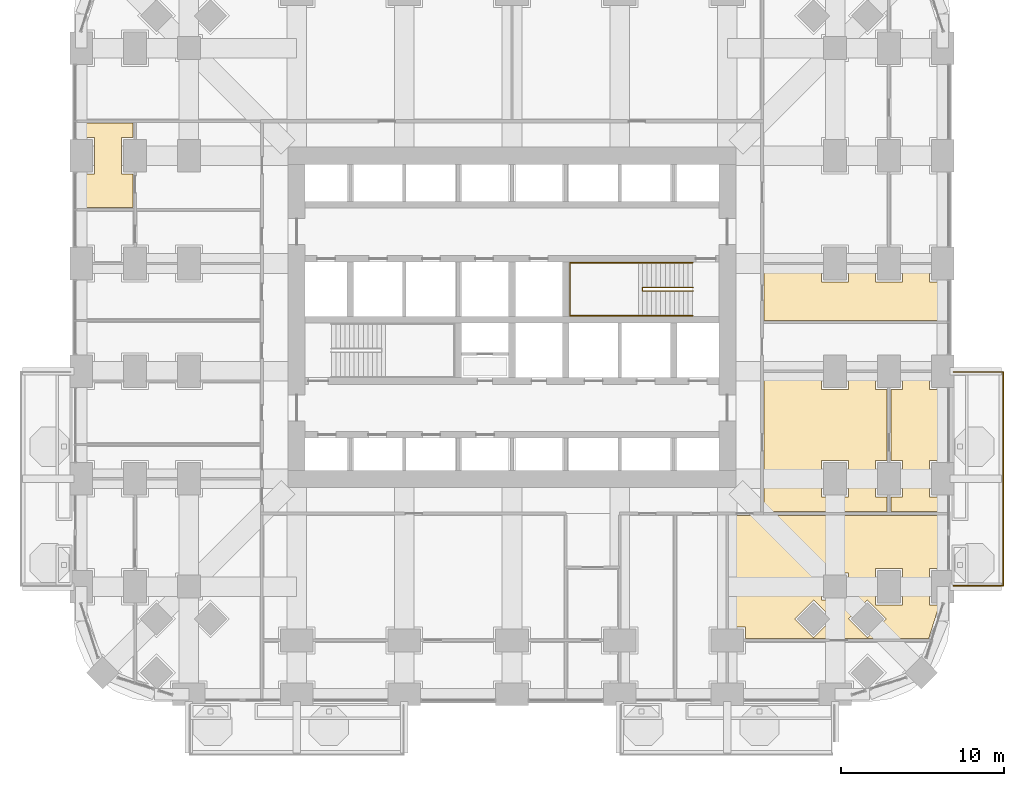
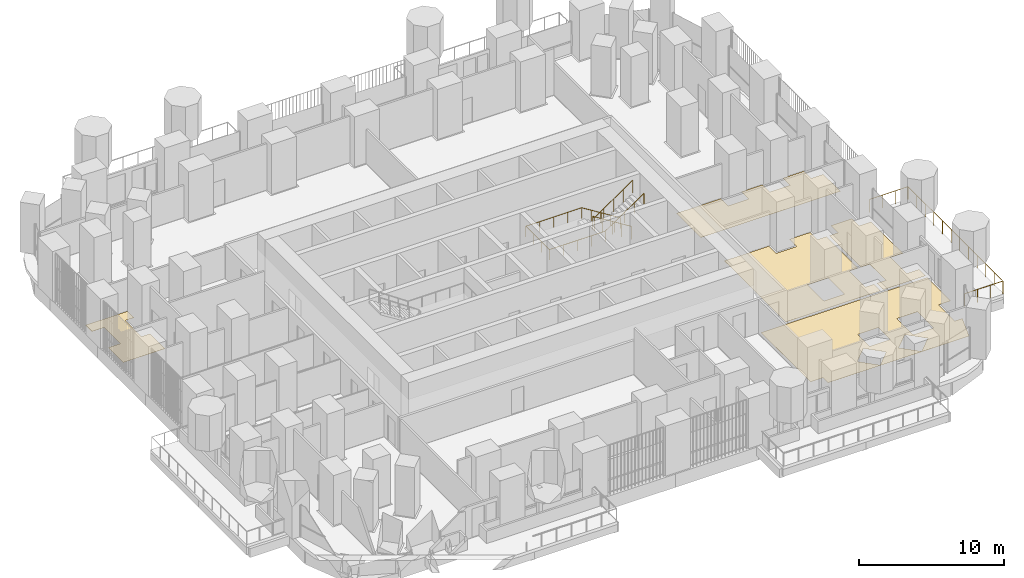
# One storey, part 23 of 25: 5 coverings, 3 railings.
"""IFC4 building model written with IfcOpenShell, lengths in metres."""

from ifc_helpers import new_model, si_unit, direction, frame, origin, place, context, subcontext, project, spatial, polyline, outline, extrude, material, layer, layer_set, type_object, element, save


model = new_model("IFC4")

# Units and contexts
model_context = context("Model", 3, precision=1e-05, world=origin(), true_north=direction((0.0, 1.0)))
body_context = subcontext(model_context, "Body", "Model", "MODEL_VIEW")
ifc_project = project(units=[si_unit("LENGTHUNIT", "METRE"), si_unit("AREAUNIT", "SQUARE_METRE"), si_unit("VOLUMEUNIT", "CUBIC_METRE"), si_unit("PLANEANGLEUNIT", "RADIAN"), si_unit("MASSUNIT", "GRAM", prefix="KILO")], contexts=[model_context])

# Site, building, storey
site_placement = place(None, origin())
site = spatial("IfcSite", under=ifc_project, at=site_placement, CompositionType="ELEMENT")
building_placement = place(site_placement, origin())
building = spatial("IfcBuilding", under=site, at=building_placement, Name="Cobogo Forest Laboratory Tower", CompositionType="ELEMENT")
storey_placement = place(building_placement, frame((0.0, 0.0, 21.300048828125)))
storey = spatial("IfcBuildingStorey", under=building, at=storey_placement, Name="L04", CompositionType="ELEMENT", Elevation=21.300048828125)

# Railing
ifc_material_1 = material(Name="Laminated glass balustrade", Category="glass")
railing_type_1 = type_object("IfcRailingType", Name="BG1 glass balustrade 1100", PredefinedType="GUARDRAIL", material=ifc_material_1)
railing_1_placement = place(storey_placement, frame((53.449951171875, 6.64990234375, 0.0)))
element("IfcRailing", 1, at=railing_1_placement, inside=storey, type_object=railing_type_1, Name="Balcony balustrade BAL-E1 L04", PredefinedType="GUARDRAIL", context=body_context, shape_type="SweptSolid", body=[
    extrude(outline(polyline([(0.022216796875, 0.00927734375), (0.00927734375, 0.022216796875), (-0.00927734375, 0.022216796875), (-0.022216796875, 0.00927734375), (-0.022216796875, -0.00927734375), (-0.00927734375, -0.022216796875), (0.00927734375, -0.022216796875), (0.022216796875, -0.00927734375), (0.022216796875, 0.00927734375)])), frame((0.0, 0.0, 1.077880859375), z_axis=(1.0, 0.0, 0.0), x_axis=(0.0, 1.0, 0.0)), (0.0, 0.0, 1.0), 3.050048828125),
    extrude(outline(polyline([(0.022216796875, 0.00927734375), (0.00927734375, 0.022216796875), (-0.00927734375, 0.022216796875), (-0.022216796875, 0.00927734375), (-0.022216796875, -0.00927734375), (-0.00927734375, -0.022216796875), (0.00927734375, -0.022216796875), (0.022216796875, -0.00927734375), (0.022216796875, 0.00927734375)])), frame((3.050048828125, 0.0, 1.077880859375), z_axis=(0.0, 1.0, 0.0), x_axis=(-1.0, 0.0, 0.0)), (0.0, 0.0, 1.0), 13.10009765625),
    extrude(outline(polyline([(0.022216796875, 0.00927734375), (0.00927734375, 0.022216796875), (-0.00927734375, 0.022216796875), (-0.022216796875, 0.00927734375), (-0.022216796875, -0.00927734375), (-0.00927734375, -0.022216796875), (0.00927734375, -0.022216796875), (0.022216796875, -0.00927734375), (0.022216796875, 0.00927734375)])), frame((3.050048828125, 13.10009765625, 1.077880859375), z_axis=(-1.0, 0.0, 0.0), x_axis=(0.0, -1.0, 0.0)), (0.0, 0.0, 1.0), 3.050048828125),
    extrude(outline(polyline([(0.019287109375, 0.008056640625), (0.008056640625, 0.019287109375), (-0.008056640625, 0.019287109375), (-0.019287109375, 0.008056640625), (-0.019287109375, -0.008056640625), (-0.008056640625, -0.019287109375), (0.008056640625, -0.019287109375), (0.019287109375, -0.008056640625), (0.019287109375, 0.008056640625)])), origin(), (0.0, 0.0, 1.0), 1.077880859375),
    extrude(outline(polyline([(0.019287109375, 0.008056640625), (0.008056640625, 0.019287109375), (-0.008056640625, 0.019287109375), (-0.019287109375, 0.008056640625), (-0.019287109375, -0.008056640625), (-0.008056640625, -0.019287109375), (0.008056640625, -0.019287109375), (0.019287109375, -0.008056640625), (0.019287109375, 0.008056640625)])), frame((1.0166015625, 0.0, 0.0)), (0.0, 0.0, 1.0), 1.077880859375),
    extrude(outline(polyline([(0.019287109375, 0.008056640625), (0.008056640625, 0.019287109375), (-0.008056640625, 0.019287109375), (-0.019287109375, 0.008056640625), (-0.019287109375, -0.008056640625), (-0.008056640625, -0.019287109375), (0.008056640625, -0.019287109375), (0.019287109375, -0.008056640625), (0.019287109375, 0.008056640625)])), frame((2.033447265625, 0.0, 0.0)), (0.0, 0.0, 1.0), 1.077880859375),
    extrude(outline(polyline([(0.019287109375, 0.008056640625), (0.008056640625, 0.019287109375), (-0.008056640625, 0.019287109375), (-0.019287109375, 0.008056640625), (-0.019287109375, -0.008056640625), (-0.008056640625, -0.019287109375), (0.008056640625, -0.019287109375), (0.019287109375, -0.008056640625), (0.019287109375, 0.008056640625)])), frame((3.050048828125, 0.0, 0.0)), (0.0, 0.0, 1.0), 1.077880859375),
    extrude(outline(polyline([(0.019287109375, 0.008056640625), (0.008056640625, 0.019287109375), (-0.008056640625, 0.019287109375), (-0.019287109375, 0.008056640625), (-0.019287109375, -0.008056640625), (-0.008056640625, -0.019287109375), (0.008056640625, -0.019287109375), (0.019287109375, -0.008056640625), (0.019287109375, 0.008056640625)])), frame((3.050048828125, 1.19091796875, 0.0)), (0.0, 0.0, 1.0), 1.077880859375),
    extrude(outline(polyline([(0.019287109375, 0.008056640625), (0.008056640625, 0.019287109375), (-0.008056640625, 0.019287109375), (-0.019287109375, 0.008056640625), (-0.019287109375, -0.008056640625), (-0.008056640625, -0.019287109375), (0.008056640625, -0.019287109375), (0.019287109375, -0.008056640625), (0.019287109375, 0.008056640625)])), frame((3.050048828125, 2.3818359375, 0.0)), (0.0, 0.0, 1.0), 1.077880859375),
    extrude(outline(polyline([(0.019287109375, 0.008056640625), (0.008056640625, 0.019287109375), (-0.008056640625, 0.019287109375), (-0.019287109375, 0.008056640625), (-0.019287109375, -0.008056640625), (-0.008056640625, -0.019287109375), (0.008056640625, -0.019287109375), (0.019287109375, -0.008056640625), (0.019287109375, 0.008056640625)])), frame((3.050048828125, 3.57275390625, 0.0)), (0.0, 0.0, 1.0), 1.077880859375),
    extrude(outline(polyline([(0.019287109375, 0.008056640625), (0.008056640625, 0.019287109375), (-0.008056640625, 0.019287109375), (-0.019287109375, 0.008056640625), (-0.019287109375, -0.008056640625), (-0.008056640625, -0.019287109375), (0.008056640625, -0.019287109375), (0.019287109375, -0.008056640625), (0.019287109375, 0.008056640625)])), frame((3.050048828125, 4.763671875, 0.0)), (0.0, 0.0, 1.0), 1.077880859375),
    extrude(outline(polyline([(0.019287109375, 0.008056640625), (0.008056640625, 0.019287109375), (-0.008056640625, 0.019287109375), (-0.019287109375, 0.008056640625), (-0.019287109375, -0.008056640625), (-0.008056640625, -0.019287109375), (0.008056640625, -0.019287109375), (0.019287109375, -0.008056640625), (0.019287109375, 0.008056640625)])), frame((3.050048828125, 5.95458984375, 0.0)), (0.0, 0.0, 1.0), 1.077880859375),
    extrude(outline(polyline([(0.019287109375, 0.008056640625), (0.008056640625, 0.019287109375), (-0.008056640625, 0.019287109375), (-0.019287109375, 0.008056640625), (-0.019287109375, -0.008056640625), (-0.008056640625, -0.019287109375), (0.008056640625, -0.019287109375), (0.019287109375, -0.008056640625), (0.019287109375, 0.008056640625)])), frame((3.050048828125, 7.1455078125, 0.0)), (0.0, 0.0, 1.0), 1.077880859375),
    extrude(outline(polyline([(0.019287109375, 0.008056640625), (0.008056640625, 0.019287109375), (-0.008056640625, 0.019287109375), (-0.019287109375, 0.008056640625), (-0.019287109375, -0.008056640625), (-0.008056640625, -0.019287109375), (0.008056640625, -0.019287109375), (0.019287109375, -0.008056640625), (0.019287109375, 0.008056640625)])), frame((3.050048828125, 8.33642578125, 0.0)), (0.0, 0.0, 1.0), 1.077880859375),
    extrude(outline(polyline([(0.019287109375, 0.008056640625), (0.008056640625, 0.019287109375), (-0.008056640625, 0.019287109375), (-0.019287109375, 0.008056640625), (-0.019287109375, -0.008056640625), (-0.008056640625, -0.019287109375), (0.008056640625, -0.019287109375), (0.019287109375, -0.008056640625), (0.019287109375, 0.008056640625)])), frame((3.050048828125, 9.52734375, 0.0)), (0.0, 0.0, 1.0), 1.077880859375),
    extrude(outline(polyline([(0.019287109375, 0.008056640625), (0.008056640625, 0.019287109375), (-0.008056640625, 0.019287109375), (-0.019287109375, 0.008056640625), (-0.019287109375, -0.008056640625), (-0.008056640625, -0.019287109375), (0.008056640625, -0.019287109375), (0.019287109375, -0.008056640625), (0.019287109375, 0.008056640625)])), frame((3.050048828125, 10.71826171875, 0.0)), (0.0, 0.0, 1.0), 1.077880859375),
    extrude(outline(polyline([(0.019287109375, 0.008056640625), (0.008056640625, 0.019287109375), (-0.008056640625, 0.019287109375), (-0.019287109375, 0.008056640625), (-0.019287109375, -0.008056640625), (-0.008056640625, -0.019287109375), (0.008056640625, -0.019287109375), (0.019287109375, -0.008056640625), (0.019287109375, 0.008056640625)])), frame((3.050048828125, 11.9091796875, 0.0)), (0.0, 0.0, 1.0), 1.077880859375),
    extrude(outline(polyline([(0.019287109375, 0.008056640625), (0.008056640625, 0.019287109375), (-0.008056640625, 0.019287109375), (-0.019287109375, 0.008056640625), (-0.019287109375, -0.008056640625), (-0.008056640625, -0.019287109375), (0.008056640625, -0.019287109375), (0.019287109375, -0.008056640625), (0.019287109375, 0.008056640625)])), frame((3.050048828125, 13.10009765625, 0.0)), (0.0, 0.0, 1.0), 1.077880859375),
    extrude(outline(polyline([(0.019287109375, 0.008056640625), (0.008056640625, 0.019287109375), (-0.008056640625, 0.019287109375), (-0.019287109375, 0.008056640625), (-0.019287109375, -0.008056640625), (-0.008056640625, -0.019287109375), (0.008056640625, -0.019287109375), (0.019287109375, -0.008056640625), (0.019287109375, 0.008056640625)])), frame((2.033447265625, 13.10009765625, 0.0)), (0.0, 0.0, 1.0), 1.077880859375),
    extrude(outline(polyline([(0.019287109375, 0.008056640625), (0.008056640625, 0.019287109375), (-0.008056640625, 0.019287109375), (-0.019287109375, 0.008056640625), (-0.019287109375, -0.008056640625), (-0.008056640625, -0.019287109375), (0.008056640625, -0.019287109375), (0.019287109375, -0.008056640625), (0.019287109375, 0.008056640625)])), frame((1.0166015625, 13.10009765625, 0.0)), (0.0, 0.0, 1.0), 1.077880859375),
    extrude(outline(polyline([(0.019287109375, 0.008056640625), (0.008056640625, 0.019287109375), (-0.008056640625, 0.019287109375), (-0.019287109375, 0.008056640625), (-0.019287109375, -0.008056640625), (-0.008056640625, -0.019287109375), (0.008056640625, -0.019287109375), (0.019287109375, -0.008056640625), (0.019287109375, 0.008056640625)])), frame((0.0, 13.10009765625, 0.0)), (0.0, 0.0, 1.0), 1.077880859375),
])

# Coverings
ifc_material_2 = material(Name="Carpet tile on raised access floor", Category="flooring")
ifc_layer_1 = layer(ifc_material_2, 0.008056640625)
ifc_layer_set_1 = layer_set([ifc_layer_1], Name="CT1 carpet tile floor 8")
covering_type_1 = type_object("IfcCoveringType", Name="CT1 carpet tile floor 8", PredefinedType="FLOORING", material=ifc_layer_set_1)
covering_1_placement = place(storey_placement, origin())
element("IfcCovering", 2, at=covering_1_placement, inside=storey, type_object=covering_type_1, Name="Carpet floor L04-10", PredefinedType="FLOORING", context=body_context, shape_type="SweptSolid", body=[
    extrude(outline(polyline([(49.6201171875, 12.080078125), (50.320068359375, 12.080078125), (50.320068359375, 14.320068359375), (49.6201171875, 14.320068359375), (49.6201171875, 18.679931640625), (50.320068359375, 18.679931640625), (50.320068359375, 19.679931640625), (51.97998046875, 19.679931640625), (51.97998046875, 18.679931640625), (52.949951171875, 18.679931640625), (52.949951171875, 14.320068359375), (51.97998046875, 14.320068359375), (51.97998046875, 12.080078125), (52.949951171875, 12.080078125), (52.949951171875, 11.195068359375), (49.6201171875, 11.195068359375), (49.6201171875, 12.080078125)])), origin(), (0.0, 0.0, 1.0), 0.008056640625),
])
covering_2_placement = place(storey_placement, origin())
element("IfcCovering", 3, at=covering_2_placement, inside=storey, type_object=covering_type_1, Name="Carpet floor L04-28", PredefinedType="FLOORING", context=body_context, shape_type="SweptSolid", body=[
    extrude(outline(polyline([(3.179931640625, 34.1201171875), (2.47998046875, 34.1201171875), (2.47998046875, 31.8798828125), (3.179931640625, 31.8798828125), (3.179931640625, 29.820068359375), (-0.14990234375, 29.820068359375), (-0.14990234375, 31.8798828125), (0.820068359375, 31.8798828125), (0.820068359375, 34.1201171875), (-0.14990234375, 34.1201171875), (-0.14990234375, 35.0048828125), (3.179931640625, 35.0048828125), (3.179931640625, 34.1201171875)])), origin(), (0.0, 0.0, 1.0), 0.008056640625),
])

# Railings
ifc_material_3 = material(Name="Steel balustrade", Category="steel")
railing_type_2 = type_object("IfcRailingType", Name="GR stair guard 1100", PredefinedType="GUARDRAIL", material=ifc_material_3)
railing_2_placement = place(storey_placement, frame((37.47509765625, 24.929931640625, 0.175048828125)))
element("IfcRailing", 4, at=railing_2_placement, inside=storey, type_object=railing_type_2, Name="Stair guard ST2 L04", PredefinedType="GUARDRAIL", context=body_context, shape_type="SweptSolid", body=[
    extrude(outline(polyline([(0.022216796875, 0.00927734375), (0.00927734375, 0.022216796875), (-0.00927734375, 0.022216796875), (-0.022216796875, 0.00927734375), (-0.022216796875, -0.00927734375), (-0.00927734375, -0.022216796875), (0.00927734375, -0.022216796875), (0.022216796875, -0.00927734375), (0.022216796875, 0.00927734375)])), frame((0.0, 0.0, 1.077880859375), z_axis=(-0.848028513186, 0.0, 0.529950602248), x_axis=(0.0, -1.0, 0.0)), (0.0, 0.0, 1.0), 3.632080078125),
    extrude(outline(polyline([(0.022216796875, 0.00927734375), (0.00927734375, 0.022216796875), (-0.00927734375, 0.022216796875), (-0.022216796875, 0.00927734375), (-0.022216796875, -0.00927734375), (-0.00927734375, -0.022216796875), (0.00927734375, -0.022216796875), (0.022216796875, -0.00927734375), (0.022216796875, 0.00927734375)])), frame((-3.080078125, 0.0, 3.002685546875), z_axis=(0.0, -1.0, 0.0), x_axis=(1.0, 0.0, 0.0)), (0.0, 0.0, 1.0), 0.2099609375),
    extrude(outline(polyline([(0.022216796875, 0.00927734375), (0.00927734375, 0.022216796875), (-0.00927734375, 0.022216796875), (-0.022216796875, 0.00927734375), (-0.022216796875, -0.00927734375), (-0.00927734375, -0.022216796875), (0.00927734375, -0.022216796875), (0.022216796875, -0.00927734375), (0.022216796875, 0.00927734375)])), frame((-3.080078125, -0.2099609375, 3.002685546875), z_axis=(0.826221800596, 0.0, 0.563344953133), x_axis=(0.0, 1.0, 0.0)), (0.0, 0.0, 1.0), 3.72802734375),
    extrude(outline(polyline([(0.019287109375, 0.008056640625), (0.008056640625, 0.019287109375), (-0.008056640625, 0.019287109375), (-0.019287109375, 0.008056640625), (-0.019287109375, -0.008056640625), (-0.008056640625, -0.019287109375), (0.008056640625, -0.019287109375), (0.019287109375, -0.008056640625), (0.019287109375, 0.008056640625)])), origin(), (0.0, 0.0, 1.0), 1.077880859375),
    extrude(outline(polyline([(0.019287109375, 0.008056640625), (0.008056640625, 0.019287109375), (-0.008056640625, 0.019287109375), (-0.019287109375, 0.008056640625), (-0.019287109375, -0.008056640625), (-0.008056640625, -0.019287109375), (0.008056640625, -0.019287109375), (0.019287109375, -0.008056640625), (0.019287109375, 0.008056640625)])), frame((-0.77001953125, 0.0, 0.481201171875)), (0.0, 0.0, 1.0), 1.077880859375),
    extrude(outline(polyline([(0.019287109375, 0.008056640625), (0.008056640625, 0.019287109375), (-0.008056640625, 0.019287109375), (-0.019287109375, 0.008056640625), (-0.019287109375, -0.008056640625), (-0.008056640625, -0.019287109375), (0.008056640625, -0.019287109375), (0.019287109375, -0.008056640625), (0.019287109375, 0.008056640625)])), frame((-1.5400390625, 0.0, 0.96240234375)), (0.0, 0.0, 1.0), 1.077880859375),
    extrude(outline(polyline([(0.019287109375, 0.008056640625), (0.008056640625, 0.019287109375), (-0.008056640625, 0.019287109375), (-0.019287109375, 0.008056640625), (-0.019287109375, -0.008056640625), (-0.008056640625, -0.019287109375), (0.008056640625, -0.019287109375), (0.019287109375, -0.008056640625), (0.019287109375, 0.008056640625)])), frame((-2.31005859375, 0.0, 1.443603515625)), (0.0, 0.0, 1.0), 1.077880859375),
    extrude(outline(polyline([(0.019287109375, 0.008056640625), (0.008056640625, 0.019287109375), (-0.008056640625, 0.019287109375), (-0.019287109375, 0.008056640625), (-0.019287109375, -0.008056640625), (-0.008056640625, -0.019287109375), (0.008056640625, -0.019287109375), (0.019287109375, -0.008056640625), (0.019287109375, 0.008056640625)])), frame((-3.080078125, 0.0, 1.9248046875)), (0.0, 0.0, 1.0), 1.077880859375),
    extrude(outline(polyline([(0.019287109375, 0.008056640625), (0.008056640625, 0.019287109375), (-0.008056640625, 0.019287109375), (-0.019287109375, 0.008056640625), (-0.019287109375, -0.008056640625), (-0.008056640625, -0.019287109375), (0.008056640625, -0.019287109375), (0.019287109375, -0.008056640625), (0.019287109375, 0.008056640625)])), frame((-3.080078125, -0.2099609375, 1.9248046875)), (0.0, 0.0, 1.0), 1.077880859375),
    extrude(outline(polyline([(0.019287109375, 0.008056640625), (0.008056640625, 0.019287109375), (-0.008056640625, 0.019287109375), (-0.019287109375, 0.008056640625), (-0.019287109375, -0.008056640625), (-0.008056640625, -0.019287109375), (0.008056640625, -0.019287109375), (0.019287109375, -0.008056640625), (0.019287109375, 0.008056640625)])), frame((-2.31005859375, -0.2099609375, 2.44970703125)), (0.0, 0.0, 1.0), 1.077880859375),
    extrude(outline(polyline([(0.019287109375, 0.008056640625), (0.008056640625, 0.019287109375), (-0.008056640625, 0.019287109375), (-0.019287109375, 0.008056640625), (-0.019287109375, -0.008056640625), (-0.008056640625, -0.019287109375), (0.008056640625, -0.019287109375), (0.019287109375, -0.008056640625), (0.019287109375, 0.008056640625)])), frame((-1.5400390625, -0.2099609375, 2.974853515625)), (0.0, 0.0, 1.0), 1.077880859375),
    extrude(outline(polyline([(0.019287109375, 0.008056640625), (0.008056640625, 0.019287109375), (-0.008056640625, 0.019287109375), (-0.019287109375, 0.008056640625), (-0.019287109375, -0.008056640625), (-0.008056640625, -0.019287109375), (0.008056640625, -0.019287109375), (0.019287109375, -0.008056640625), (0.019287109375, 0.008056640625)])), frame((-0.77001953125, -0.2099609375, 3.5)), (0.0, 0.0, 1.0), 1.077880859375),
    extrude(outline(polyline([(0.019287109375, 0.008056640625), (0.008056640625, 0.019287109375), (-0.008056640625, 0.019287109375), (-0.019287109375, 0.008056640625), (-0.019287109375, -0.008056640625), (-0.008056640625, -0.019287109375), (0.008056640625, -0.019287109375), (0.019287109375, -0.008056640625), (0.019287109375, 0.008056640625)])), frame((0.0, -0.2099609375, 4.02490234375)), (0.0, 0.0, 1.0), 1.077880859375),
])
ifc_material_4 = material(Name="Stainless steel handrail", Category="steel")
railing_type_3 = type_object("IfcRailingType", Name="HR handrail 900", PredefinedType="HANDRAIL", material=ifc_material_4)
railing_3_placement = place(storey_placement, frame((37.47509765625, 26.449951171875, 0.175048828125)))
element("IfcRailing", 5, at=railing_3_placement, inside=storey, type_object=railing_type_3, Name="Stair handrail ST2 L04", PredefinedType="HANDRAIL", context=body_context, shape_type="SweptSolid", body=[
    extrude(outline(polyline([(0.022216796875, 0.00927734375), (0.00927734375, 0.022216796875), (-0.00927734375, 0.022216796875), (-0.022216796875, 0.00927734375), (-0.022216796875, -0.00927734375), (-0.00927734375, -0.022216796875), (0.00927734375, -0.022216796875), (0.022216796875, -0.00927734375), (0.022216796875, 0.00927734375)])), frame((0.0, 0.0, 0.877685546875), z_axis=(-0.848028513186, 0.0, 0.529950602248), x_axis=(0.0, -1.0, 0.0)), (0.0, 0.0, 1.0), 3.632080078125),
    extrude(outline(polyline([(0.022216796875, 0.00927734375), (0.00927734375, 0.022216796875), (-0.00927734375, 0.022216796875), (-0.022216796875, 0.00927734375), (-0.022216796875, -0.00927734375), (-0.00927734375, -0.022216796875), (0.00927734375, -0.022216796875), (0.022216796875, -0.00927734375), (0.022216796875, 0.00927734375)])), frame((-3.080078125, 0.0, 2.802490234375), z_axis=(-1.0, 0.0, 0.0), x_axis=(0.0, -1.0, 0.0)), (0.0, 0.0, 1.0), 4.445068359375),
    extrude(outline(polyline([(0.022216796875, 0.00927734375), (0.00927734375, 0.022216796875), (-0.00927734375, 0.022216796875), (-0.022216796875, 0.00927734375), (-0.022216796875, -0.00927734375), (-0.00927734375, -0.022216796875), (0.00927734375, -0.022216796875), (0.022216796875, -0.00927734375), (0.022216796875, 0.00927734375)])), frame((-7.525146484375, 0.0, 2.802490234375), z_axis=(0.0, -1.0, 0.0), x_axis=(1.0, 0.0, 0.0)), (0.0, 0.0, 1.0), 3.25),
    extrude(outline(polyline([(0.022216796875, 0.00927734375), (0.00927734375, 0.022216796875), (-0.00927734375, 0.022216796875), (-0.022216796875, 0.00927734375), (-0.022216796875, -0.00927734375), (-0.00927734375, -0.022216796875), (0.00927734375, -0.022216796875), (0.022216796875, -0.00927734375), (0.022216796875, 0.00927734375)])), frame((-7.525146484375, -3.25, 2.802490234375), z_axis=(1.0, 0.0, 0.0), x_axis=(0.0, 1.0, 0.0)), (0.0, 0.0, 1.0), 4.445068359375),
    extrude(outline(polyline([(0.022216796875, 0.00927734375), (0.00927734375, 0.022216796875), (-0.00927734375, 0.022216796875), (-0.022216796875, 0.00927734375), (-0.022216796875, -0.00927734375), (-0.00927734375, -0.022216796875), (0.00927734375, -0.022216796875), (0.022216796875, -0.00927734375), (0.022216796875, 0.00927734375)])), frame((-3.080078125, -3.25, 2.802490234375), z_axis=(0.826221800596, 0.0, 0.563344953133), x_axis=(0.0, 1.0, 0.0)), (0.0, 0.0, 1.0), 3.72802734375),
    extrude(outline(polyline([(0.019287109375, 0.008056640625), (0.008056640625, 0.019287109375), (-0.008056640625, 0.019287109375), (-0.019287109375, 0.008056640625), (-0.019287109375, -0.008056640625), (-0.008056640625, -0.019287109375), (0.008056640625, -0.019287109375), (0.019287109375, -0.008056640625), (0.019287109375, 0.008056640625)])), origin(), (0.0, 0.0, 1.0), 0.877685546875),
    extrude(outline(polyline([(0.019287109375, 0.008056640625), (0.008056640625, 0.019287109375), (-0.008056640625, 0.019287109375), (-0.019287109375, 0.008056640625), (-0.019287109375, -0.008056640625), (-0.008056640625, -0.019287109375), (0.008056640625, -0.019287109375), (0.019287109375, -0.008056640625), (0.019287109375, 0.008056640625)])), frame((-0.77001953125, 0.0, 0.481201171875)), (0.0, 0.0, 1.0), 0.877685546875),
    extrude(outline(polyline([(0.019287109375, 0.008056640625), (0.008056640625, 0.019287109375), (-0.008056640625, 0.019287109375), (-0.019287109375, 0.008056640625), (-0.019287109375, -0.008056640625), (-0.008056640625, -0.019287109375), (0.008056640625, -0.019287109375), (0.019287109375, -0.008056640625), (0.019287109375, 0.008056640625)])), frame((-1.5400390625, 0.0, 0.96240234375)), (0.0, 0.0, 1.0), 0.877685546875),
    extrude(outline(polyline([(0.019287109375, 0.008056640625), (0.008056640625, 0.019287109375), (-0.008056640625, 0.019287109375), (-0.019287109375, 0.008056640625), (-0.019287109375, -0.008056640625), (-0.008056640625, -0.019287109375), (0.008056640625, -0.019287109375), (0.019287109375, -0.008056640625), (0.019287109375, 0.008056640625)])), frame((-2.31005859375, 0.0, 1.443603515625)), (0.0, 0.0, 1.0), 0.877685546875),
    extrude(outline(polyline([(0.019287109375, 0.008056640625), (0.008056640625, 0.019287109375), (-0.008056640625, 0.019287109375), (-0.019287109375, 0.008056640625), (-0.019287109375, -0.008056640625), (-0.008056640625, -0.019287109375), (0.008056640625, -0.019287109375), (0.019287109375, -0.008056640625), (0.019287109375, 0.008056640625)])), frame((-3.080078125, 0.0, 1.9248046875)), (0.0, 0.0, 1.0), 0.877685546875),
    extrude(outline(polyline([(0.019287109375, 0.008056640625), (0.008056640625, 0.019287109375), (-0.008056640625, 0.019287109375), (-0.019287109375, 0.008056640625), (-0.019287109375, -0.008056640625), (-0.008056640625, -0.019287109375), (0.008056640625, -0.019287109375), (0.019287109375, -0.008056640625), (0.019287109375, 0.008056640625)])), frame((-4.19140625, 0.0, 1.9248046875)), (0.0, 0.0, 1.0), 0.877685546875),
    extrude(outline(polyline([(0.019287109375, 0.008056640625), (0.008056640625, 0.019287109375), (-0.008056640625, 0.019287109375), (-0.019287109375, 0.008056640625), (-0.019287109375, -0.008056640625), (-0.008056640625, -0.019287109375), (0.008056640625, -0.019287109375), (0.019287109375, -0.008056640625), (0.019287109375, 0.008056640625)])), frame((-5.302734375, 0.0, 1.9248046875)), (0.0, 0.0, 1.0), 0.877685546875),
    extrude(outline(polyline([(0.019287109375, 0.008056640625), (0.008056640625, 0.019287109375), (-0.008056640625, 0.019287109375), (-0.019287109375, 0.008056640625), (-0.019287109375, -0.008056640625), (-0.008056640625, -0.019287109375), (0.008056640625, -0.019287109375), (0.019287109375, -0.008056640625), (0.019287109375, 0.008056640625)])), frame((-6.413818359375, 0.0, 1.9248046875)), (0.0, 0.0, 1.0), 0.877685546875),
    extrude(outline(polyline([(0.019287109375, 0.008056640625), (0.008056640625, 0.019287109375), (-0.008056640625, 0.019287109375), (-0.019287109375, 0.008056640625), (-0.019287109375, -0.008056640625), (-0.008056640625, -0.019287109375), (0.008056640625, -0.019287109375), (0.019287109375, -0.008056640625), (0.019287109375, 0.008056640625)])), frame((-7.525146484375, 0.0, 1.9248046875)), (0.0, 0.0, 1.0), 0.877685546875),
    extrude(outline(polyline([(0.019287109375, 0.008056640625), (0.008056640625, 0.019287109375), (-0.008056640625, 0.019287109375), (-0.019287109375, 0.008056640625), (-0.019287109375, -0.008056640625), (-0.008056640625, -0.019287109375), (0.008056640625, -0.019287109375), (0.019287109375, -0.008056640625), (0.019287109375, 0.008056640625)])), frame((-7.525146484375, -1.083251953125, 1.9248046875)), (0.0, 0.0, 1.0), 0.877685546875),
    extrude(outline(polyline([(0.019287109375, 0.008056640625), (0.008056640625, 0.019287109375), (-0.008056640625, 0.019287109375), (-0.019287109375, 0.008056640625), (-0.019287109375, -0.008056640625), (-0.008056640625, -0.019287109375), (0.008056640625, -0.019287109375), (0.019287109375, -0.008056640625), (0.019287109375, 0.008056640625)])), frame((-7.525146484375, -2.166748046875, 1.9248046875)), (0.0, 0.0, 1.0), 0.877685546875),
    extrude(outline(polyline([(0.019287109375, 0.008056640625), (0.008056640625, 0.019287109375), (-0.008056640625, 0.019287109375), (-0.019287109375, 0.008056640625), (-0.019287109375, -0.008056640625), (-0.008056640625, -0.019287109375), (0.008056640625, -0.019287109375), (0.019287109375, -0.008056640625), (0.019287109375, 0.008056640625)])), frame((-7.525146484375, -3.25, 1.9248046875)), (0.0, 0.0, 1.0), 0.877685546875),
    extrude(outline(polyline([(0.019287109375, 0.008056640625), (0.008056640625, 0.019287109375), (-0.008056640625, 0.019287109375), (-0.019287109375, 0.008056640625), (-0.019287109375, -0.008056640625), (-0.008056640625, -0.019287109375), (0.008056640625, -0.019287109375), (0.019287109375, -0.008056640625), (0.019287109375, 0.008056640625)])), frame((-6.413818359375, -3.25, 1.9248046875)), (0.0, 0.0, 1.0), 0.877685546875),
    extrude(outline(polyline([(0.019287109375, 0.008056640625), (0.008056640625, 0.019287109375), (-0.008056640625, 0.019287109375), (-0.019287109375, 0.008056640625), (-0.019287109375, -0.008056640625), (-0.008056640625, -0.019287109375), (0.008056640625, -0.019287109375), (0.019287109375, -0.008056640625), (0.019287109375, 0.008056640625)])), frame((-5.302734375, -3.25, 1.9248046875)), (0.0, 0.0, 1.0), 0.877685546875),
    extrude(outline(polyline([(0.019287109375, 0.008056640625), (0.008056640625, 0.019287109375), (-0.008056640625, 0.019287109375), (-0.019287109375, 0.008056640625), (-0.019287109375, -0.008056640625), (-0.008056640625, -0.019287109375), (0.008056640625, -0.019287109375), (0.019287109375, -0.008056640625), (0.019287109375, 0.008056640625)])), frame((-4.19140625, -3.25, 1.9248046875)), (0.0, 0.0, 1.0), 0.877685546875),
    extrude(outline(polyline([(0.019287109375, 0.008056640625), (0.008056640625, 0.019287109375), (-0.008056640625, 0.019287109375), (-0.019287109375, 0.008056640625), (-0.019287109375, -0.008056640625), (-0.008056640625, -0.019287109375), (0.008056640625, -0.019287109375), (0.019287109375, -0.008056640625), (0.019287109375, 0.008056640625)])), frame((-3.080078125, -3.25, 1.9248046875)), (0.0, 0.0, 1.0), 0.877685546875),
    extrude(outline(polyline([(0.019287109375, 0.008056640625), (0.008056640625, 0.019287109375), (-0.008056640625, 0.019287109375), (-0.019287109375, 0.008056640625), (-0.019287109375, -0.008056640625), (-0.008056640625, -0.019287109375), (0.008056640625, -0.019287109375), (0.019287109375, -0.008056640625), (0.019287109375, 0.008056640625)])), frame((-2.31005859375, -3.25, 2.44970703125)), (0.0, 0.0, 1.0), 0.877685546875),
    extrude(outline(polyline([(0.019287109375, 0.008056640625), (0.008056640625, 0.019287109375), (-0.008056640625, 0.019287109375), (-0.019287109375, 0.008056640625), (-0.019287109375, -0.008056640625), (-0.008056640625, -0.019287109375), (0.008056640625, -0.019287109375), (0.019287109375, -0.008056640625), (0.019287109375, 0.008056640625)])), frame((-1.5400390625, -3.25, 2.974853515625)), (0.0, 0.0, 1.0), 0.877685546875),
    extrude(outline(polyline([(0.019287109375, 0.008056640625), (0.008056640625, 0.019287109375), (-0.008056640625, 0.019287109375), (-0.019287109375, 0.008056640625), (-0.019287109375, -0.008056640625), (-0.008056640625, -0.019287109375), (0.008056640625, -0.019287109375), (0.019287109375, -0.008056640625), (0.019287109375, 0.008056640625)])), frame((-0.77001953125, -3.25, 3.5)), (0.0, 0.0, 1.0), 0.877685546875),
    extrude(outline(polyline([(0.019287109375, 0.008056640625), (0.008056640625, 0.019287109375), (-0.008056640625, 0.019287109375), (-0.019287109375, 0.008056640625), (-0.019287109375, -0.008056640625), (-0.008056640625, -0.019287109375), (0.008056640625, -0.019287109375), (0.019287109375, -0.008056640625), (0.019287109375, 0.008056640625)])), frame((0.0, -3.25, 4.02490234375)), (0.0, 0.0, 1.0), 0.877685546875),
])

# Coverings
ifc_material_5 = material(Name="Epoxy resin flooring", Category="flooring")
ifc_layer_2 = layer(ifc_material_5, 0.00390625)
ifc_layer_set_2 = layer_set([ifc_layer_2], Name="LF1 epoxy laboratory floor 4")
covering_type_2 = type_object("IfcCoveringType", Name="LF1 epoxy laboratory floor 4", PredefinedType="FLOORING", material=ifc_layer_set_2)
covering_3_placement = place(storey_placement, origin())
element("IfcCovering", 6, at=covering_3_placement, inside=storey, type_object=covering_type_2, Name="Epoxy laboratory floor L04-07", PredefinedType="FLOORING", context=body_context, shape_type="SweptSolid", body=[
    extrude(outline(polyline([(39.719970703125, 10.955078125), (52.949951171875, 10.955078125), (52.949951171875, 7.719970703125), (51.97998046875, 7.719970703125), (51.97998046875, 5.47998046875), (52.586669921875, 5.47998046875), (51.93603515625, 3.419921875), (40.719970703125, 3.419921875), (40.719970703125, 4.1201171875), (39.719970703125, 4.1201171875), (39.719970703125, 10.955078125)]), holes=[polyline([(48.679931640625, 5.47998046875), (50.320068359375, 5.47998046875), (50.320068359375, 7.719970703125), (48.679931640625, 7.719970703125), (48.679931640625, 5.47998046875)]), polyline([(48.181884765625, 5.777587890625), (47.022216796875, 4.617919921875), (48.181884765625, 3.458251953125), (49.341552734375, 4.617919921875), (48.181884765625, 5.777587890625)]), polyline([(45.3798828125, 7.419921875), (45.3798828125, 5.780029296875), (47.02001953125, 5.780029296875), (47.02001953125, 7.419921875), (45.3798828125, 7.419921875)]), polyline([(44.882080078125, 5.777587890625), (43.722412109375, 4.617919921875), (44.882080078125, 3.458251953125), (46.041748046875, 4.617919921875), (44.882080078125, 5.777587890625)])]), origin(), (0.0, 0.0, 1.0), 0.00390625),
])
covering_4_placement = place(storey_placement, origin())
element("IfcCovering", 7, at=covering_4_placement, inside=storey, type_object=covering_type_2, Name="Epoxy laboratory floor L04-09", PredefinedType="FLOORING", context=body_context, shape_type="SweptSolid", body=[
    extrude(outline(polyline([(41.844970703125, 19.679931640625), (45.3798828125, 19.679931640625), (45.3798828125, 18.679931640625), (47.02001953125, 18.679931640625), (47.02001953125, 19.679931640625), (48.679931640625, 19.679931640625), (48.679931640625, 18.679931640625), (49.3798828125, 18.679931640625), (49.3798828125, 14.320068359375), (48.679931640625, 14.320068359375), (48.679931640625, 12.080078125), (49.3798828125, 12.080078125), (49.3798828125, 11.195068359375), (41.844970703125, 11.195068359375), (41.844970703125, 19.679931640625)]), holes=[polyline([(45.3798828125, 12.080078125), (47.02001953125, 12.080078125), (47.02001953125, 14.320068359375), (45.3798828125, 14.320068359375), (45.3798828125, 12.080078125)])]), origin(), (0.0, 0.0, 1.0), 0.00390625),
])
ifc_material_6 = material(Name="Static-dissipative vinyl flooring", Category="flooring")
ifc_layer_3 = layer(ifc_material_6, 0.0029296875)
ifc_layer_set_3 = layer_set([ifc_layer_3], Name="SD1 static-dissipative vinyl floor 3")
covering_type_3 = type_object("IfcCoveringType", Name="SD1 static-dissipative vinyl floor 3", PredefinedType="FLOORING", material=ifc_layer_set_3)
covering_5_placement = place(storey_placement, origin())
element("IfcCovering", 8, at=covering_5_placement, inside=storey, type_object=covering_type_3, Name="Static-dissipative floor L04-12", PredefinedType="FLOORING", context=body_context, shape_type="SweptSolid", body=[
    extrude(outline(polyline([(41.844970703125, 26.280029296875), (45.3798828125, 26.280029296875), (45.3798828125, 25.280029296875), (47.02001953125, 25.280029296875), (47.02001953125, 26.280029296875), (48.679931640625, 26.280029296875), (48.679931640625, 25.280029296875), (50.320068359375, 25.280029296875), (50.320068359375, 26.280029296875), (51.97998046875, 26.280029296875), (51.97998046875, 25.280029296875), (52.949951171875, 25.280029296875), (52.949951171875, 22.919921875), (41.844970703125, 22.919921875), (41.844970703125, 26.280029296875)])), origin(), (0.0, 0.0, 1.0), 0.0029296875),
])

save(model, "model.ifc")
